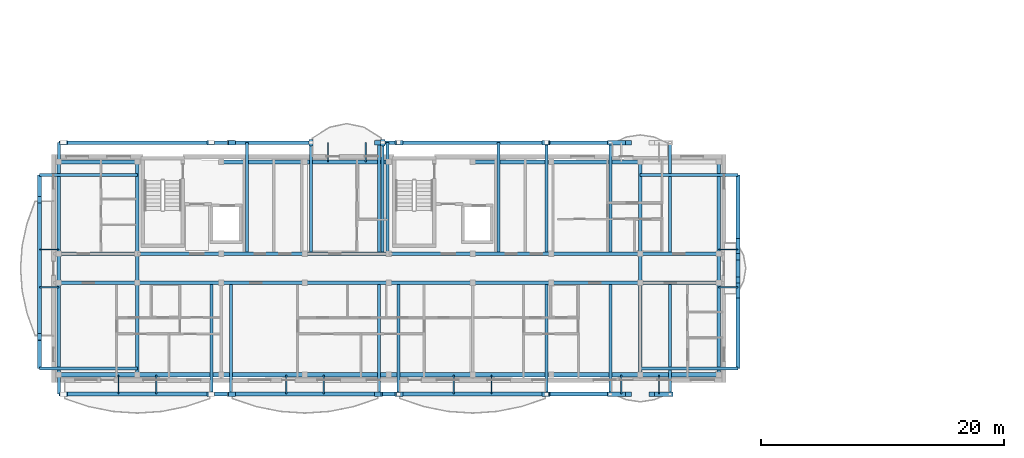
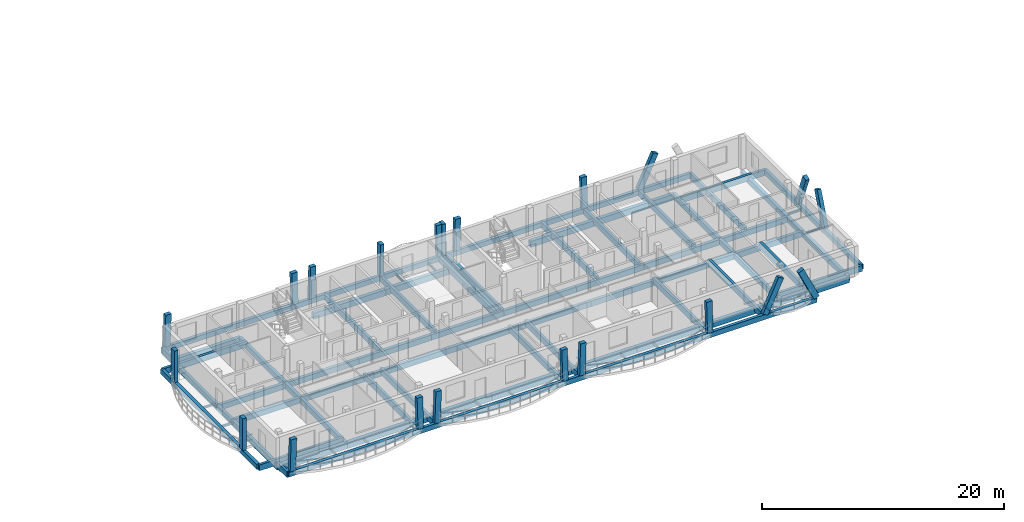
# One storey, part 3 of 41: 81 beams, 21 members.
"""IFC4 building model written with IfcOpenShell, lengths in metres."""

import ifcopenshell
import ifcopenshell.guid

model = None  # the IFC model being written
_history = None  # IfcOwnerHistory: only IFC2X3 demands one
_inside = {}  # id of a spatial element -> (the spatial element, [elements in it])
_under = {}  # id of a project, library or spatial element -> (it, [spatial elements below it])
_declared = {}  # id of a project -> (the project, [libraries it declares])
_typed = {}  # id of a type object -> (the type object, [elements of that type])
_made_of = {}  # id of a material, layer set ... -> (it, [elements and type objects made of it])


def new_model(schema):
    """Start an empty IFC model of exactly this schema.

    Asked for "IFC4X3", IfcOpenShell would pick the latest addendum, in which some entities
    have other attributes; the version numbers below select the first issue.
    IFC2X3 requires an IfcOwnerHistory on every rooted entity: one is made here for all.
    """
    global model, _history
    if schema == "IFC4X3":
        model = ifcopenshell.file(schema_version=(4, 3, 0, 0))
    else:
        model = ifcopenshell.file(schema=schema)
    _inside.clear()
    _under.clear()
    _declared.clear()
    _typed.clear()
    _made_of.clear()
    _history = None
    if model.schema == "IFC2X3":
        org = make("IfcOrganization", Name="unknown")
        user = make(
            "IfcPersonAndOrganization",
            ThePerson=make("IfcPerson", FamilyName="unknown"),
            TheOrganization=org,
        )
        app = make(
            "IfcApplication",
            ApplicationDeveloper=org,
            Version="unknown",
            ApplicationFullName="unknown",
            ApplicationIdentifier="unknown",
        )
        _history = make(
            "IfcOwnerHistory",
            OwningUser=user,
            OwningApplication=app,
            ChangeAction="ADDED",
            CreationDate=0,
        )
    return model


def make(cls, **values):
    """One entity of the class cls with the attributes given. An attribute that is None is left unset."""
    return model.create_entity(
        cls, **{name: value for name, value in values.items() if value is not None}
    )


def rooted(cls, **values):
    """An entity with a GlobalId (a new one), such as an element, a storey or a relation."""
    return make(cls, GlobalId=ifcopenshell.guid.new(), OwnerHistory=_history, **values)


def si_unit(unit_type, name, prefix=None):
    """IfcSIUnit, for example si_unit("LENGTHUNIT", "METRE", prefix="MILLI")."""
    return make("IfcSIUnit", UnitType=unit_type, Prefix=prefix, Name=name)


def assignment(units):
    """IfcUnitAssignment: the units of a project."""
    return None if units is None else make("IfcUnitAssignment", Units=units)


def point(xyz):
    """IfcCartesianPoint."""
    return None if xyz is None else make("IfcCartesianPoint", Coordinates=xyz)


def direction(xyz):
    """IfcDirection."""
    return None if xyz is None else make("IfcDirection", DirectionRatios=xyz)


def frame(location, z_axis=None, x_axis=None):
    """IfcAxis2Placement3D, a coordinate frame: its origin and axes. An axis left out is left unset."""
    return make(
        "IfcAxis2Placement3D",
        Location=point(location),
        Axis=direction(z_axis),
        RefDirection=direction(x_axis),
    )


def frame_2d(location, x_axis=None):
    """IfcAxis2Placement2D, a coordinate frame in the plane: its origin and x axis."""
    return make(
        "IfcAxis2Placement2D", Location=point(location), RefDirection=direction(x_axis)
    )


def origin():
    """The frame at (0, 0, 0) with its axes left unset."""
    return frame((0.0, 0.0, 0.0))


def origin_2d():
    """The frame at (0, 0) in the plane with its x axis left unset."""
    return frame_2d((0.0, 0.0))


def place(relative_to, where):
    """IfcLocalPlacement: puts the frame where relative to a parent placement (None: the world)."""
    return make(
        "IfcLocalPlacement", PlacementRelTo=relative_to, RelativePlacement=where
    )


def context(
    kind, dimensions, precision=None, world=None, true_north=None, identifier=None
):
    """IfcGeometricRepresentationContext, for example the 3D "Model" context."""
    return make(
        "IfcGeometricRepresentationContext",
        ContextIdentifier=identifier,
        ContextType=kind,
        CoordinateSpaceDimension=dimensions,
        Precision=precision,
        WorldCoordinateSystem=world,
        TrueNorth=true_north,
    )


def subcontext(parent, identifier, kind, view, scale=None):
    """IfcGeometricRepresentationSubContext, for example "Body" below "Model"."""
    return make(
        "IfcGeometricRepresentationSubContext",
        ContextIdentifier=identifier,
        ContextType=kind,
        ParentContext=parent,
        TargetScale=scale,
        TargetView=view,
    )


def project(units=None, contexts=None):
    """IfcProject with its units and contexts."""
    return rooted(
        "IfcProject",
        Name="project",
        RepresentationContexts=contexts,
        UnitsInContext=assignment(units),
    )


def spatial(cls, under=None, at=None, **own):
    """A site, building, storey or space (cls), placed at a placement, below another one or the project."""
    s = rooted(cls, ObjectPlacement=at, **own)
    if under is not None:
        _under.setdefault(under.id(), (under, []))[1].append(s)
    return s


def profile(cls, at=None, kind="AREA", **sizes):
    """A parametric profile (cls). Its sizes go by their IFC names, for example OverallWidth=200.0."""
    return make(cls, ProfileType=kind, Position=at, **sizes)


def rectangle(**sizes):
    """IfcRectangleProfileDef."""
    return profile("IfcRectangleProfileDef", **sizes)


def i_section(**sizes):
    """IfcIShapeProfileDef."""
    return profile("IfcIShapeProfileDef", **sizes)


def extrude(swept, where, along, depth):
    """IfcExtrudedAreaSolid: the profile swept, set in the frame where, extruded along a direction by depth."""
    return make(
        "IfcExtrudedAreaSolid",
        SweptArea=swept,
        Position=where,
        ExtrudedDirection=direction(along),
        Depth=depth,
    )


def shape(context_of_items, identifier, shape_type, items):
    """IfcShapeRepresentation: the items that make up one representation, for example the "Body"."""
    return make(
        "IfcShapeRepresentation",
        ContextOfItems=context_of_items,
        RepresentationIdentifier=identifier,
        RepresentationType=shape_type,
        Items=items,
    )


def material(Name=None, Category=None):
    """IfcMaterial."""
    return make("IfcMaterial", Name=Name, Category=Category)


def material_profile(
    of_material, cross_section, Name=None, Category=None, Priority=None
):
    """IfcMaterialProfile: a cross section and its material."""
    return make(
        "IfcMaterialProfile",
        Name=Name,
        Material=of_material,
        Profile=cross_section,
        Priority=Priority,
        Category=Category,
    )


def profile_set(profiles, Name=None, composite=None):
    """IfcMaterialProfileSet."""
    return make(
        "IfcMaterialProfileSet",
        Name=Name,
        MaterialProfiles=profiles,
        CompositeProfile=composite,
    )


def made_of(thing, what):
    """Note that an element or type object is made of a material, layer set ...; save() writes the relation."""
    if what is not None:
        _made_of.setdefault(what.id(), (what, []))[1].append(thing)
    return thing


def type_object(cls, material=None, **own):
    """A type object (cls), such as IfcWallType, which elements share."""
    return made_of(rooted(cls, **own), material)


def element(
    cls,
    number,
    at=None,
    inside=None,
    cuts=None,
    type_object=None,
    material=None,
    context=None,
    identifier="Body",
    shape_type=None,
    held_by="IfcProductDefinitionShape",
    body=None,
    shapes=None,
    **own,
):
    """One element of the class cls, such as IfcWall. Its Tag is "e" and its number.

    at: its placement. inside: the storey or other place that contains it. cuts: it is an
    opening in that element (IfcRelVoidsElement). A single representation is given by context,
    identifier, shape_type and body (its items); several are given by shapes. held_by: the class
    of the entity that holds the representations. save() writes the other relations.
    """
    e = rooted(cls, Tag="e%d" % number, ObjectPlacement=at, **own)
    if body is not None:
        shapes = [shape(context, identifier, shape_type, body)]
    if shapes is not None:
        e.Representation = make(held_by, Representations=shapes)
    if inside is not None:
        _inside.setdefault(inside.id(), (inside, []))[1].append(e)
    if cuts is not None:
        rooted(
            "IfcRelVoidsElement", RelatingBuildingElement=cuts, RelatedOpeningElement=e
        )
    if type_object is not None:
        _typed.setdefault(type_object.id(), (type_object, []))[1].append(e)
    return made_of(e, material)


def aggregate(whole, parts):
    """IfcRelAggregates: a whole, such as a stair, and the parts it consists of."""
    return rooted("IfcRelAggregates", RelatingObject=whole, RelatedObjects=parts)


def save(model, path):
    """Write the relations noted so far, then the file.

    IfcRelAggregates (storeys below a building ...), IfcRelContainedInSpatialStructure (elements
    in a storey), IfcRelDefinesByType, IfcRelAssociatesMaterial and IfcRelDeclares: one each for
    every whole, place, type object, material and project.
    """
    for whole, parts in _under.values():
        aggregate(whole, parts)
    for where, things in _inside.values():
        rooted(
            "IfcRelContainedInSpatialStructure",
            RelatedElements=things,
            RelatingStructure=where,
        )
    for kind, things in _typed.values():
        rooted("IfcRelDefinesByType", RelatedObjects=things, RelatingType=kind)
    for what, things in _made_of.values():
        rooted("IfcRelAssociatesMaterial", RelatedObjects=things, RelatingMaterial=what)
    for by, libraries in _declared.values():
        rooted("IfcRelDeclares", RelatingContext=by, RelatedDefinitions=libraries)
    model.write(path)


model = new_model("IFC4")

# Units and contexts
model_context = context("Model", 3, precision=1e-05, world=origin(), true_north=direction((0.0, 1.0)))
body_context = subcontext(model_context, "Body", "Model", "MODEL_VIEW")
ifc_project = project(units=[si_unit("LENGTHUNIT", "METRE"), si_unit("AREAUNIT", "SQUARE_METRE"), si_unit("VOLUMEUNIT", "CUBIC_METRE"), si_unit("PLANEANGLEUNIT", "RADIAN"), si_unit("MASSUNIT", "GRAM", prefix="KILO")], contexts=[model_context])

# Site, building, storey
site_placement = place(None, origin())
site = spatial("IfcSite", under=ifc_project, at=site_placement, CompositionType="ELEMENT")
building_placement = place(site_placement, origin())
building = spatial("IfcBuilding", under=site, at=building_placement, Name="Zavelmont Quarter", CompositionType="ELEMENT")
storey_placement = place(building_placement, frame((0.0, 0.0, 27.199951171875)))
storey = spatial("IfcBuildingStorey", under=building, at=storey_placement, Name="L08", CompositionType="ELEMENT", Elevation=27.199951171875)

# Beams
ifc_material_1 = material(Name="Concrete C35/45", Category="concrete")
ifc_material_profile_1 = material_profile(ifc_material_1, rectangle(XDim=0.35009765625, YDim=0.60009765625, at=origin_2d()), Name="RC350X600")
ifc_profile_set_1 = profile_set([ifc_material_profile_1], Name="Concrete C35/45")
beam_type_1 = type_object("IfcBeamType", Name="BM01", PredefinedType="SPANDREL", material=ifc_profile_set_1)
beam_1_placement = place(storey_placement, frame((0.43994140625, 0.43994140625, -0.550048828125), z_axis=(1.0, 0.0, 0.0), x_axis=(0.0, 1.0, 0.0)))
element("IfcBeam", 1, at=beam_1_placement, inside=storey, type_object=beam_type_1, Name="L08 beam BM01 1/A to 2/A", PredefinedType="SPANDREL", context=body_context, shape_type="SweptSolid", body=[
    extrude(rectangle(XDim=0.35009765625, YDim=0.60009765625, at=origin_2d()), origin(), (0.0, 0.0, 1.0), 6.4599609375),
])
beam_2_placement = place(storey_placement, frame((6.89990234375, 0.43994140625, -0.550048828125), z_axis=(1.0, 0.0, 0.0), x_axis=(0.0, 1.0, 0.0)))
element("IfcBeam", 2, at=beam_2_placement, inside=storey, type_object=beam_type_1, Name="L08 beam BM01 2/A to 3/A", PredefinedType="SPANDREL", context=body_context, shape_type="SweptSolid", body=[
    extrude(rectangle(XDim=0.35009765625, YDim=0.60009765625, at=origin_2d()), origin(), (0.0, 0.0, 1.0), 6.900146484375),
])
beam_3_placement = place(storey_placement, frame((13.800048828125, 0.43994140625, -0.550048828125), z_axis=(1.0, 0.0, 0.0), x_axis=(0.0, 1.0, 0.0)))
element("IfcBeam", 3, at=beam_3_placement, inside=storey, type_object=beam_type_1, Name="L08 beam BM01 3/A to 4/A", PredefinedType="SPANDREL", context=body_context, shape_type="SweptSolid", body=[
    extrude(rectangle(XDim=0.35009765625, YDim=0.60009765625, at=origin_2d()), origin(), (0.0, 0.0, 1.0), 6.89990234375),
])
beam_4_placement = place(storey_placement, frame((20.699951171875, 0.43994140625, -0.550048828125), z_axis=(1.0, 0.0, 0.0), x_axis=(0.0, 1.0, 0.0)))
element("IfcBeam", 4, at=beam_4_placement, inside=storey, type_object=beam_type_1, Name="L08 beam BM01 4/A to 5/A", PredefinedType="SPANDREL", context=body_context, shape_type="SweptSolid", body=[
    extrude(rectangle(XDim=0.35009765625, YDim=0.60009765625, at=origin_2d()), origin(), (0.0, 0.0, 1.0), 6.900146484375),
])
beam_5_placement = place(storey_placement, frame((27.60009765625, 0.43994140625, -0.550048828125), z_axis=(1.0, 0.0, 0.0), x_axis=(0.0, 1.0, 0.0)))
element("IfcBeam", 5, at=beam_5_placement, inside=storey, type_object=beam_type_1, Name="L08 beam BM01 5/A to 6/A", PredefinedType="SPANDREL", context=body_context, shape_type="SweptSolid", body=[
    extrude(rectangle(XDim=0.35009765625, YDim=0.60009765625, at=origin_2d()), origin(), (0.0, 0.0, 1.0), 6.89990234375),
])
beam_6_placement = place(storey_placement, frame((34.5, 0.43994140625, -0.550048828125), z_axis=(1.0, 0.0, 0.0), x_axis=(0.0, 1.0, 0.0)))
element("IfcBeam", 6, at=beam_6_placement, inside=storey, type_object=beam_type_1, Name="L08 beam BM01 6/A to 7/A", PredefinedType="SPANDREL", context=body_context, shape_type="SweptSolid", body=[
    extrude(rectangle(XDim=0.35009765625, YDim=0.60009765625, at=origin_2d()), origin(), (0.0, 0.0, 1.0), 6.4599609375),
])
beam_7_placement = place(storey_placement, frame((40.9599609375, 0.43994140625, -0.550048828125), z_axis=(1.0, 0.0, 0.0), x_axis=(0.0, 1.0, 0.0)))
element("IfcBeam", 7, at=beam_7_placement, inside=storey, type_object=beam_type_1, Name="L08 beam BM01 7/A to 8/A", PredefinedType="SPANDREL", context=body_context, shape_type="SweptSolid", body=[
    extrude(rectangle(XDim=0.35009765625, YDim=0.60009765625, at=origin_2d()), origin(), (0.0, 0.0, 1.0), 7.340087890625),
])
for number, where, z_axis, x_axis, name in (
    (8, (48.300048828125, 0.43994140625, -0.550048828125), (1.0, 0.0, 0.0), (0.0, 1.0, 0.0), "L08 beam BM01 8/A to 9/A"),
    (9, (0.43994140625, 17.9599609375, -0.550048828125), (1.0, 0.0, 0.0), (0.0, 1.0, 0.0), "L08 beam BM01 1/D to 2/D"),
):
    element("IfcBeam", number, at=place(storey_placement, frame(where, z_axis=z_axis, x_axis=x_axis)), inside=storey, type_object=beam_type_1, Name=name, PredefinedType="SPANDREL", context=body_context, shape_type="SweptSolid", body=[
        extrude(rectangle(XDim=0.35009765625, YDim=0.60009765625, at=origin_2d()), origin(), (0.0, 0.0, 1.0), 6.4599609375),
    ])
beam_8_placement = place(storey_placement, frame((13.800048828125, 17.9599609375, -0.550048828125), z_axis=(1.0, 0.0, 0.0), x_axis=(0.0, 1.0, 0.0)))
element("IfcBeam", 10, at=beam_8_placement, inside=storey, type_object=beam_type_1, Name="L08 beam BM01 3/D to 4/D", PredefinedType="SPANDREL", context=body_context, shape_type="SweptSolid", body=[
    extrude(rectangle(XDim=0.35009765625, YDim=0.60009765625, at=origin_2d()), origin(), (0.0, 0.0, 1.0), 6.89990234375),
])
beam_9_placement = place(storey_placement, frame((20.699951171875, 17.9599609375, -0.550048828125), z_axis=(1.0, 0.0, 0.0), x_axis=(0.0, 1.0, 0.0)))
element("IfcBeam", 11, at=beam_9_placement, inside=storey, type_object=beam_type_1, Name="L08 beam BM01 4/D to 5/D", PredefinedType="SPANDREL", context=body_context, shape_type="SweptSolid", body=[
    extrude(rectangle(XDim=0.35009765625, YDim=0.60009765625, at=origin_2d()), origin(), (0.0, 0.0, 1.0), 6.900146484375),
])
beam_10_placement = place(storey_placement, frame((34.5, 17.9599609375, -0.550048828125), z_axis=(1.0, 0.0, 0.0), x_axis=(0.0, 1.0, 0.0)))
element("IfcBeam", 12, at=beam_10_placement, inside=storey, type_object=beam_type_1, Name="L08 beam BM01 6/D to 7/D", PredefinedType="SPANDREL", context=body_context, shape_type="SweptSolid", body=[
    extrude(rectangle(XDim=0.35009765625, YDim=0.60009765625, at=origin_2d()), origin(), (0.0, 0.0, 1.0), 6.4599609375),
])
beam_11_placement = place(storey_placement, frame((40.9599609375, 17.9599609375, -0.550048828125), z_axis=(1.0, 0.0, 0.0), x_axis=(0.0, 1.0, 0.0)))
element("IfcBeam", 13, at=beam_11_placement, inside=storey, type_object=beam_type_1, Name="L08 beam BM01 7/D to 8/D", PredefinedType="SPANDREL", context=body_context, shape_type="SweptSolid", body=[
    extrude(rectangle(XDim=0.35009765625, YDim=0.60009765625, at=origin_2d()), origin(), (0.0, 0.0, 1.0), 7.340087890625),
])
ifc_material_profile_2 = material_profile(ifc_material_1, rectangle(XDim=0.300048828125, YDim=0.550048828125, at=origin_2d()), Name="RC300X550")
ifc_profile_set_2 = profile_set([ifc_material_profile_2], Name="Concrete C35/45")
beam_type_2 = type_object("IfcBeamType", Name="BM02", PredefinedType="SPANDREL", material=ifc_profile_set_2)
beam_12_placement = place(storey_placement, frame((0.43994140625, 8.0, -0.52490234375), z_axis=(1.0, 0.0, 0.0), x_axis=(0.0, 1.0, 0.0)))
element("IfcBeam", 14, at=beam_12_placement, inside=storey, type_object=beam_type_2, Name="L08 beam BM02 1/B to 2/B", PredefinedType="SPANDREL", context=body_context, shape_type="SweptSolid", body=[
    extrude(rectangle(XDim=0.300048828125, YDim=0.550048828125, at=origin_2d()), origin(), (0.0, 0.0, 1.0), 6.4599609375),
])
beam_13_placement = place(storey_placement, frame((6.89990234375, 8.0, -0.52490234375), z_axis=(1.0, 0.0, 0.0), x_axis=(0.0, 1.0, 0.0)))
element("IfcBeam", 15, at=beam_13_placement, inside=storey, type_object=beam_type_2, Name="L08 beam BM02 2/B to 3/B", PredefinedType="SPANDREL", context=body_context, shape_type="SweptSolid", body=[
    extrude(rectangle(XDim=0.300048828125, YDim=0.550048828125, at=origin_2d()), origin(), (0.0, 0.0, 1.0), 6.900146484375),
])
beam_14_placement = place(storey_placement, frame((13.800048828125, 8.0, -0.52490234375), z_axis=(1.0, 0.0, 0.0), x_axis=(0.0, 1.0, 0.0)))
element("IfcBeam", 16, at=beam_14_placement, inside=storey, type_object=beam_type_2, Name="L08 beam BM02 3/B to 4/B", PredefinedType="SPANDREL", context=body_context, shape_type="SweptSolid", body=[
    extrude(rectangle(XDim=0.300048828125, YDim=0.550048828125, at=origin_2d()), origin(), (0.0, 0.0, 1.0), 6.89990234375),
])
beam_15_placement = place(storey_placement, frame((20.699951171875, 8.0, -0.52490234375), z_axis=(1.0, 0.0, 0.0), x_axis=(0.0, 1.0, 0.0)))
element("IfcBeam", 17, at=beam_15_placement, inside=storey, type_object=beam_type_2, Name="L08 beam BM02 4/B to 5/B", PredefinedType="SPANDREL", context=body_context, shape_type="SweptSolid", body=[
    extrude(rectangle(XDim=0.300048828125, YDim=0.550048828125, at=origin_2d()), origin(), (0.0, 0.0, 1.0), 6.900146484375),
])
beam_16_placement = place(storey_placement, frame((27.60009765625, 8.0, -0.52490234375), z_axis=(1.0, 0.0, 0.0), x_axis=(0.0, 1.0, 0.0)))
element("IfcBeam", 18, at=beam_16_placement, inside=storey, type_object=beam_type_2, Name="L08 beam BM02 5/B to 6/B", PredefinedType="SPANDREL", context=body_context, shape_type="SweptSolid", body=[
    extrude(rectangle(XDim=0.300048828125, YDim=0.550048828125, at=origin_2d()), origin(), (0.0, 0.0, 1.0), 6.89990234375),
])
beam_17_placement = place(storey_placement, frame((34.5, 8.0, -0.52490234375), z_axis=(1.0, 0.0, 0.0), x_axis=(0.0, 1.0, 0.0)))
element("IfcBeam", 19, at=beam_17_placement, inside=storey, type_object=beam_type_2, Name="L08 beam BM02 6/B to 7/B", PredefinedType="SPANDREL", context=body_context, shape_type="SweptSolid", body=[
    extrude(rectangle(XDim=0.300048828125, YDim=0.550048828125, at=origin_2d()), origin(), (0.0, 0.0, 1.0), 6.4599609375),
])
beam_18_placement = place(storey_placement, frame((40.9599609375, 8.0, -0.52490234375), z_axis=(1.0, 0.0, 0.0), x_axis=(0.0, 1.0, 0.0)))
element("IfcBeam", 20, at=beam_18_placement, inside=storey, type_object=beam_type_2, Name="L08 beam BM02 7/B to 8/B", PredefinedType="SPANDREL", context=body_context, shape_type="SweptSolid", body=[
    extrude(rectangle(XDim=0.300048828125, YDim=0.550048828125, at=origin_2d()), origin(), (0.0, 0.0, 1.0), 7.340087890625),
])
for number, where, z_axis, x_axis, name in (
    (21, (48.300048828125, 8.0, -0.52490234375), (1.0, 0.0, 0.0), (0.0, 1.0, 0.0), "L08 beam BM02 8/B to 9/B"),
    (22, (0.43994140625, 10.39990234375, -0.52490234375), (1.0, 0.0, 0.0), (0.0, 1.0, 0.0), "L08 beam BM02 1/C to 2/C"),
):
    element("IfcBeam", number, at=place(storey_placement, frame(where, z_axis=z_axis, x_axis=x_axis)), inside=storey, type_object=beam_type_2, Name=name, PredefinedType="SPANDREL", context=body_context, shape_type="SweptSolid", body=[
        extrude(rectangle(XDim=0.300048828125, YDim=0.550048828125, at=origin_2d()), origin(), (0.0, 0.0, 1.0), 6.4599609375),
    ])
beam_19_placement = place(storey_placement, frame((6.89990234375, 10.39990234375, -0.52490234375), z_axis=(1.0, 0.0, 0.0), x_axis=(0.0, 1.0, 0.0)))
element("IfcBeam", 23, at=beam_19_placement, inside=storey, type_object=beam_type_2, Name="L08 beam BM02 2/C to 3/C", PredefinedType="SPANDREL", context=body_context, shape_type="SweptSolid", body=[
    extrude(rectangle(XDim=0.300048828125, YDim=0.550048828125, at=origin_2d()), origin(), (0.0, 0.0, 1.0), 6.900146484375),
])
beam_20_placement = place(storey_placement, frame((13.800048828125, 10.39990234375, -0.52490234375), z_axis=(1.0, 0.0, 0.0), x_axis=(0.0, 1.0, 0.0)))
element("IfcBeam", 24, at=beam_20_placement, inside=storey, type_object=beam_type_2, Name="L08 beam BM02 3/C to 4/C", PredefinedType="SPANDREL", context=body_context, shape_type="SweptSolid", body=[
    extrude(rectangle(XDim=0.300048828125, YDim=0.550048828125, at=origin_2d()), origin(), (0.0, 0.0, 1.0), 6.89990234375),
])
beam_21_placement = place(storey_placement, frame((20.699951171875, 10.39990234375, -0.52490234375), z_axis=(1.0, 0.0, 0.0), x_axis=(0.0, 1.0, 0.0)))
element("IfcBeam", 25, at=beam_21_placement, inside=storey, type_object=beam_type_2, Name="L08 beam BM02 4/C to 5/C", PredefinedType="SPANDREL", context=body_context, shape_type="SweptSolid", body=[
    extrude(rectangle(XDim=0.300048828125, YDim=0.550048828125, at=origin_2d()), origin(), (0.0, 0.0, 1.0), 6.900146484375),
])
beam_22_placement = place(storey_placement, frame((27.60009765625, 10.39990234375, -0.52490234375), z_axis=(1.0, 0.0, 0.0), x_axis=(0.0, 1.0, 0.0)))
element("IfcBeam", 26, at=beam_22_placement, inside=storey, type_object=beam_type_2, Name="L08 beam BM02 5/C to 6/C", PredefinedType="SPANDREL", context=body_context, shape_type="SweptSolid", body=[
    extrude(rectangle(XDim=0.300048828125, YDim=0.550048828125, at=origin_2d()), origin(), (0.0, 0.0, 1.0), 6.89990234375),
])
beam_23_placement = place(storey_placement, frame((34.5, 10.39990234375, -0.52490234375), z_axis=(1.0, 0.0, 0.0), x_axis=(0.0, 1.0, 0.0)))
element("IfcBeam", 27, at=beam_23_placement, inside=storey, type_object=beam_type_2, Name="L08 beam BM02 6/C to 7/C", PredefinedType="SPANDREL", context=body_context, shape_type="SweptSolid", body=[
    extrude(rectangle(XDim=0.300048828125, YDim=0.550048828125, at=origin_2d()), origin(), (0.0, 0.0, 1.0), 6.4599609375),
])
beam_24_placement = place(storey_placement, frame((40.9599609375, 10.39990234375, -0.52490234375), z_axis=(1.0, 0.0, 0.0), x_axis=(0.0, 1.0, 0.0)))
element("IfcBeam", 28, at=beam_24_placement, inside=storey, type_object=beam_type_2, Name="L08 beam BM02 7/C to 8/C", PredefinedType="SPANDREL", context=body_context, shape_type="SweptSolid", body=[
    extrude(rectangle(XDim=0.300048828125, YDim=0.550048828125, at=origin_2d()), origin(), (0.0, 0.0, 1.0), 7.340087890625),
])
beam_25_placement = place(storey_placement, frame((48.300048828125, 10.39990234375, -0.52490234375), z_axis=(1.0, 0.0, 0.0), x_axis=(0.0, 1.0, 0.0)))
element("IfcBeam", 29, at=beam_25_placement, inside=storey, type_object=beam_type_2, Name="L08 beam BM02 8/C to 9/C", PredefinedType="SPANDREL", context=body_context, shape_type="SweptSolid", body=[
    extrude(rectangle(XDim=0.300048828125, YDim=0.550048828125, at=origin_2d()), origin(), (0.0, 0.0, 1.0), 6.4599609375),
])
beam_26_placement = place(storey_placement, frame((0.43994140625, 0.43994140625, -0.52490234375), z_axis=(0.0, 1.0, 0.0), x_axis=(-1.0, 0.0, 0.0)))
element("IfcBeam", 30, at=beam_26_placement, inside=storey, type_object=beam_type_2, Name="L08 beam BM02 1/A to 1/B", PredefinedType="SPANDREL", context=body_context, shape_type="SweptSolid", body=[
    extrude(rectangle(XDim=0.300048828125, YDim=0.550048828125, at=origin_2d()), origin(), (0.0, 0.0, 1.0), 7.56005859375),
])
beam_27_placement = place(storey_placement, frame((0.43994140625, 8.0, -0.52490234375), z_axis=(0.0, 1.0, 0.0), x_axis=(-1.0, 0.0, 0.0)))
element("IfcBeam", 31, at=beam_27_placement, inside=storey, type_object=beam_type_2, Name="L08 beam BM02 1/B to 1/C", PredefinedType="SPANDREL", context=body_context, shape_type="SweptSolid", body=[
    extrude(rectangle(XDim=0.300048828125, YDim=0.550048828125, at=origin_2d()), origin(), (0.0, 0.0, 1.0), 2.39990234375),
])
for number, where, z_axis, x_axis, name in (
    (32, (0.43994140625, 10.39990234375, -0.52490234375), (0.0, 1.0, 0.0), (-1.0, 0.0, 0.0), "L08 beam BM02 1/C to 1/D"),
    (33, (6.89990234375, 0.43994140625, -0.52490234375), (0.0, 1.0, 0.0), (-1.0, 0.0, 0.0), "L08 beam BM02 2/A to 2/B"),
):
    element("IfcBeam", number, at=place(storey_placement, frame(where, z_axis=z_axis, x_axis=x_axis)), inside=storey, type_object=beam_type_2, Name=name, PredefinedType="SPANDREL", context=body_context, shape_type="SweptSolid", body=[
        extrude(rectangle(XDim=0.300048828125, YDim=0.550048828125, at=origin_2d()), origin(), (0.0, 0.0, 1.0), 7.56005859375),
    ])
beam_28_placement = place(storey_placement, frame((6.89990234375, 8.0, -0.52490234375), z_axis=(0.0, 1.0, 0.0), x_axis=(-1.0, 0.0, 0.0)))
element("IfcBeam", 34, at=beam_28_placement, inside=storey, type_object=beam_type_2, Name="L08 beam BM02 2/B to 2/C", PredefinedType="SPANDREL", context=body_context, shape_type="SweptSolid", body=[
    extrude(rectangle(XDim=0.300048828125, YDim=0.550048828125, at=origin_2d()), origin(), (0.0, 0.0, 1.0), 2.39990234375),
])
for number, where, z_axis, x_axis, name in (
    (35, (6.89990234375, 10.39990234375, -0.52490234375), (0.0, 1.0, 0.0), (-1.0, 0.0, 0.0), "L08 beam BM02 2/C to 2/D"),
    (36, (48.300048828125, 0.43994140625, -0.52490234375), (0.0, 1.0, 0.0), (-1.0, 0.0, 0.0), "L08 beam BM02 8/A to 8/B"),
):
    element("IfcBeam", number, at=place(storey_placement, frame(where, z_axis=z_axis, x_axis=x_axis)), inside=storey, type_object=beam_type_2, Name=name, PredefinedType="SPANDREL", context=body_context, shape_type="SweptSolid", body=[
        extrude(rectangle(XDim=0.300048828125, YDim=0.550048828125, at=origin_2d()), origin(), (0.0, 0.0, 1.0), 7.56005859375),
    ])
beam_29_placement = place(storey_placement, frame((48.300048828125, 8.0, -0.52490234375), z_axis=(0.0, 1.0, 0.0), x_axis=(-1.0, 0.0, 0.0)))
element("IfcBeam", 37, at=beam_29_placement, inside=storey, type_object=beam_type_2, Name="L08 beam BM02 8/B to 8/C", PredefinedType="SPANDREL", context=body_context, shape_type="SweptSolid", body=[
    extrude(rectangle(XDim=0.300048828125, YDim=0.550048828125, at=origin_2d()), origin(), (0.0, 0.0, 1.0), 2.39990234375),
])
for number, where, z_axis, x_axis, name in (
    (38, (48.300048828125, 10.39990234375, -0.52490234375), (0.0, 1.0, 0.0), (-1.0, 0.0, 0.0), "L08 beam BM02 8/C to 8/D"),
    (39, (54.760009765625, 0.43994140625, -0.52490234375), (0.0, 1.0, 0.0), (-1.0, 0.0, 0.0), "L08 beam BM02 9/A to 9/B"),
):
    element("IfcBeam", number, at=place(storey_placement, frame(where, z_axis=z_axis, x_axis=x_axis)), inside=storey, type_object=beam_type_2, Name=name, PredefinedType="SPANDREL", context=body_context, shape_type="SweptSolid", body=[
        extrude(rectangle(XDim=0.300048828125, YDim=0.550048828125, at=origin_2d()), origin(), (0.0, 0.0, 1.0), 7.56005859375),
    ])
beam_30_placement = place(storey_placement, frame((54.760009765625, 8.0, -0.52490234375), z_axis=(0.0, 1.0, 0.0), x_axis=(-1.0, 0.0, 0.0)))
element("IfcBeam", 40, at=beam_30_placement, inside=storey, type_object=beam_type_2, Name="L08 beam BM02 9/B to 9/C", PredefinedType="SPANDREL", context=body_context, shape_type="SweptSolid", body=[
    extrude(rectangle(XDim=0.300048828125, YDim=0.550048828125, at=origin_2d()), origin(), (0.0, 0.0, 1.0), 2.39990234375),
])
beam_31_placement = place(storey_placement, frame((54.760009765625, 10.39990234375, -0.52490234375), z_axis=(0.0, 1.0, 0.0), x_axis=(-1.0, 0.0, 0.0)))
element("IfcBeam", 41, at=beam_31_placement, inside=storey, type_object=beam_type_2, Name="L08 beam BM02 9/C to 9/D", PredefinedType="SPANDREL", context=body_context, shape_type="SweptSolid", body=[
    extrude(rectangle(XDim=0.300048828125, YDim=0.550048828125, at=origin_2d()), origin(), (0.0, 0.0, 1.0), 7.56005859375),
])
ifc_material_profile_3 = material_profile(ifc_material_1, rectangle(XDim=0.300048828125, YDim=0.5, at=origin_2d()), Name="RC300X500")
ifc_profile_set_3 = profile_set([ifc_material_profile_3], Name="Concrete C35/45")
beam_type_3 = type_object("IfcBeamType", Name="BM03", PredefinedType="BEAM", material=ifc_profile_set_3)
for number, where, z_axis, x_axis, name in (
    (42, (0.43994140625, -1.14990234375, -0.25), (1.0, 0.0, 0.0), (0.0, 1.0, 0.0), "L08 beam BM03 1/A to 8/A"),
    (43, (0.43994140625, 19.550048828125, -0.25), (1.0, 0.0, 0.0), (0.0, 1.0, 0.0), "L08 beam BM03 1/D to 8/D"),
):
    element("IfcBeam", number, at=place(storey_placement, frame(where, z_axis=z_axis, x_axis=x_axis)), inside=storey, type_object=beam_type_3, Name=name, PredefinedType="BEAM", context=body_context, shape_type="SweptSolid", body=[
        extrude(rectangle(XDim=0.300048828125, YDim=0.5, at=origin_2d()), origin(), (0.0, 0.0, 1.0), 50.31298828125),
    ])
for number, where, z_axis, x_axis, name in (
    (44, (-1.14990234375, 0.949951171875, -0.25), (0.0, 1.0, 0.0), (-1.0, 0.0, 0.0), "L08 beam BM03 1/A to 1/D"),
    (45, (56.35009765625, 0.949951171875, -0.25), (0.0, 1.0, 0.0), (-1.0, 0.0, 0.0), "L08 beam BM03 9/A to 9/D"),
):
    element("IfcBeam", number, at=place(storey_placement, frame(where, z_axis=z_axis, x_axis=x_axis)), inside=storey, type_object=beam_type_3, Name=name, PredefinedType="BEAM", context=body_context, shape_type="SweptSolid", body=[
        extrude(rectangle(XDim=0.300048828125, YDim=0.5, at=origin_2d()), origin(), (0.0, 0.0, 1.0), 15.949951171875),
    ])
ifc_material_2 = material(Name="Steel S355", Category="steel")
ifc_material_profile_4 = material_profile(ifc_material_2, i_section(OverallWidth=0.110107421875, OverallDepth=0.219970703125, WebThickness=0.005859375, FlangeThickness=0.00927734375, at=origin_2d()), Name="IPE 220")
ifc_profile_set_4 = profile_set([ifc_material_profile_4], Name="Steel S355")
beam_type_4 = type_object("IfcBeamType", Name="BM15", PredefinedType="JOIST", material=ifc_profile_set_4)
for number, where, z_axis, x_axis, name in (
    (46, (5.35009765625, 0.43994140625, -0.366943359375), (0.0, -1.0, 0.0), (1.0, 0.0, 0.0), "L08 beam BM15 2/A to 2/A"),
    (47, (8.449951171875, 0.43994140625, -0.366943359375), (0.0, -1.0, 0.0), (1.0, 0.0, 0.0), "L08 beam BM15 2/A to 2/A"),
    (48, (19.14990234375, 0.43994140625, -0.362060546875), (0.0, -1.0, 0.0), (1.0, 0.0, 0.0), "L08 beam BM15 4/A to 4/A"),
    (49, (22.25, 0.43994140625, -0.362060546875), (0.0, -1.0, 0.0), (1.0, 0.0, 0.0), "L08 beam BM15 4/A to 4/A"),
    (50, (32.949951171875, 0.43994140625, -0.362060546875), (0.0, -1.0, 0.0), (1.0, 0.0, 0.0), "L08 beam BM15 6/A to 6/A"),
    (51, (36.050048828125, 0.43994140625, -0.362060546875), (0.0, -1.0, 0.0), (1.0, 0.0, 0.0), "L08 beam BM15 6/A to 6/A"),
    (52, (46.75, 0.43994140625, -0.366943359375), (0.0, -1.0, 0.0), (1.0, 0.0, 0.0), "L08 beam BM15 8/A to 8/A"),
    (53, (49.85009765625, 0.43994140625, -0.366943359375), (0.0, -1.0, 0.0), (1.0, 0.0, 0.0), "L08 beam BM15 8/A to 8/A"),
    (54, (0.43994140625, 7.64990234375, -0.362060546875), (-1.0, 0.0, 0.0), (0.0, -1.0, 0.0), "L08 beam BM15 1/B to 1/B"),
    (55, (0.43994140625, 10.75, -0.362060546875), (-1.0, 0.0, 0.0), (0.0, -1.0, 0.0), "L08 beam BM15 1/C to 1/C"),
):
    element("IfcBeam", number, at=place(storey_placement, frame(where, z_axis=z_axis, x_axis=x_axis)), inside=storey, type_object=beam_type_4, Name=name, PredefinedType="JOIST", context=body_context, shape_type="SweptSolid", body=[
        extrude(i_section(OverallWidth=0.110107421875, OverallDepth=0.219970703125, WebThickness=0.005859375, FlangeThickness=0.00927734375, at=origin_2d()), origin(), (0.0, 0.0, 1.0), 1.58984375),
    ])
for number, where, z_axis, x_axis, name in (
    (56, (54.760009765625, 7.64990234375, -0.362060546875), (1.0, 0.0, 0.0), (0.0, 1.0, 0.0), "L08 beam BM15 9/B to 9/B"),
    (57, (54.760009765625, 10.75, -0.362060546875), (1.0, 0.0, 0.0), (0.0, 1.0, 0.0), "L08 beam BM15 9/C to 9/C"),
    (58, (22.60009765625, 17.9599609375, -0.366943359375), (0.0, 1.0, 0.0), (-1.0, 0.0, 0.0), "L08 beam BM15 4/D to 4/D"),
    (59, (25.699951171875, 17.9599609375, -0.366943359375), (0.0, 1.0, 0.0), (-1.0, 0.0, 0.0), "L08 beam BM15 5/D to 5/D"),
):
    element("IfcBeam", number, at=place(storey_placement, frame(where, z_axis=z_axis, x_axis=x_axis)), inside=storey, type_object=beam_type_4, Name=name, PredefinedType="JOIST", context=body_context, shape_type="SweptSolid", body=[
        extrude(i_section(OverallWidth=0.110107421875, OverallDepth=0.219970703125, WebThickness=0.005859375, FlangeThickness=0.00927734375, at=origin_2d()), origin(), (0.0, 0.0, 1.0), 1.590087890625),
    ])
ifc_material_3 = material(Name="Concrete C40/50", Category="concrete")
ifc_material_profile_5 = material_profile(ifc_material_3, rectangle(XDim=0.25, YDim=0.60009765625, at=origin_2d()), Name="RC250X600")
ifc_profile_set_5 = profile_set([ifc_material_profile_5], Name="Concrete C40/50")
beam_type_5 = type_object("IfcBeamType", Name="BM18", PredefinedType="BEAM", material=ifc_profile_set_5)
beam_32_placement = place(storey_placement, frame((0.43994140625, 0.43994140625, -0.300048828125), z_axis=(0.0, -1.0, 0.0), x_axis=(1.0, 0.0, 0.0)))
element("IfcBeam", 60, at=beam_32_placement, inside=storey, type_object=beam_type_5, Name="L08 beam BM18 1/A to 1/A", PredefinedType="BEAM", context=body_context, shape_type="SweptSolid", body=[
    extrude(rectangle(XDim=0.25, YDim=0.60009765625, at=origin_2d()), origin(), (0.0, 0.0, 1.0), 1.58984375),
])
for number, where, z_axis, x_axis, name in (
    (61, (13.0, 8.0, -0.300048828125), (0.0, -1.0, 0.0), (1.0, 0.0, 0.0), "L08 beam BM18 3/B to 3/A"),
    (62, (14.60009765625, 8.0, -0.300048828125), (0.0, -1.0, 0.0), (1.0, 0.0, 0.0), "L08 beam BM18 3/B to 3/A"),
    (63, (26.800048828125, 8.0, -0.300048828125), (0.0, -1.0, 0.0), (1.0, 0.0, 0.0), "L08 beam BM18 5/B to 5/A"),
    (64, (28.39990234375, 8.0, -0.300048828125), (0.0, -1.0, 0.0), (1.0, 0.0, 0.0), "L08 beam BM18 5/B to 5/A"),
    (65, (40.60009765625, 8.0, -0.300048828125), (0.0, -1.0, 0.0), (1.0, 0.0, 0.0), "L08 beam BM18 7/B to 7/A"),
    (66, (45.847412109375, 8.0, -0.300048828125), (0.0, -1.0, 0.0), (1.0, 0.0, 0.0), "L08 beam BM18 8/B to 8/A"),
    (67, (50.752685546875, 8.0, -0.300048828125), (0.0, -1.0, 0.0), (1.0, 0.0, 0.0), "L08 beam BM18 8/B to 8/A"),
):
    element("IfcBeam", number, at=place(storey_placement, frame(where, z_axis=z_axis, x_axis=x_axis)), inside=storey, type_object=beam_type_5, Name=name, PredefinedType="BEAM", context=body_context, shape_type="SweptSolid", body=[
        extrude(rectangle(XDim=0.25, YDim=0.60009765625, at=origin_2d()), origin(), (0.0, 0.0, 1.0), 9.14990234375),
    ])
beam_33_placement = place(storey_placement, frame((0.43994140625, 17.9599609375, -0.300048828125), z_axis=(0.0, 1.0, 0.0), x_axis=(-1.0, 0.0, 0.0)))
element("IfcBeam", 68, at=beam_33_placement, inside=storey, type_object=beam_type_5, Name="L08 beam BM18 1/D to 1/D", PredefinedType="BEAM", context=body_context, shape_type="SweptSolid", body=[
    extrude(rectangle(XDim=0.25, YDim=0.60009765625, at=origin_2d()), origin(), (0.0, 0.0, 1.0), 1.590087890625),
])
for number, where, z_axis, x_axis, name in (
    (69, (15.925048828125, 10.39990234375, -0.300048828125), (0.0, 1.0, 0.0), (-1.0, 0.0, 0.0), "L08 beam BM18 3/C to 3/D"),
    (70, (26.800048828125, 10.39990234375, -0.300048828125), (0.0, 1.0, 0.0), (-1.0, 0.0, 0.0), "L08 beam BM18 5/C to 5/D"),
    (71, (27.5, 10.39990234375, -0.300048828125), (0.0, 1.0, 0.0), (-1.0, 0.0, 0.0), "L08 beam BM18 5/C to 5/D"),
    (72, (36.625, 10.39990234375, -0.300048828125), (0.0, 1.0, 0.0), (-1.0, 0.0, 0.0), "L08 beam BM18 6/C to 6/D"),
    (73, (40.60009765625, 10.39990234375, -0.300048828125), (0.0, 1.0, 0.0), (-1.0, 0.0, 0.0), "L08 beam BM18 7/C to 7/D"),
    (74, (45.847412109375, 10.39990234375, -0.300048828125), (0.0, 1.0, 0.0), (-1.0, 0.0, 0.0), "L08 beam BM18 8/C to 8/D"),
    (75, (50.752685546875, 10.39990234375, -0.300048828125), (0.0, 1.0, 0.0), (-1.0, 0.0, 0.0), "L08 beam BM18 8/C to 8/D"),
    (76, (21.199951171875, 10.39990234375, -0.300048828125), (0.0, 1.0, 0.0), (-1.0, 0.0, 0.0), "L08 beam BM18 4/C to 4/D"),
    (77, (27.10009765625, 10.39990234375, -0.300048828125), (0.0, 1.0, 0.0), (-1.0, 0.0, 0.0), "L08 beam BM18 5/C to 5/D"),
):
    element("IfcBeam", number, at=place(storey_placement, frame(where, z_axis=z_axis, x_axis=x_axis)), inside=storey, type_object=beam_type_5, Name=name, PredefinedType="BEAM", context=body_context, shape_type="SweptSolid", body=[
        extrude(rectangle(XDim=0.25, YDim=0.60009765625, at=origin_2d()), origin(), (0.0, 0.0, 1.0), 9.150146484375),
    ])
for number, where, z_axis, x_axis, name in (
    (78, (6.89990234375, 0.949951171875, -0.300048828125), (-1.0, 0.0, 0.0), (0.0, -1.0, 0.0), "L08 beam BM18 2/A to 1/A"),
    (79, (6.89990234375, 16.89990234375, -0.300048828125), (-1.0, 0.0, 0.0), (0.0, -1.0, 0.0), "L08 beam BM18 2/D to 1/D"),
):
    element("IfcBeam", number, at=place(storey_placement, frame(where, z_axis=z_axis, x_axis=x_axis)), inside=storey, type_object=beam_type_5, Name=name, PredefinedType="BEAM", context=body_context, shape_type="SweptSolid", body=[
        extrude(rectangle(XDim=0.25, YDim=0.60009765625, at=origin_2d()), origin(), (0.0, 0.0, 1.0), 8.0498046875),
    ])
for number, where, z_axis, x_axis, name in (
    (80, (48.300048828125, 0.949951171875, -0.300048828125), (1.0, 0.0, 0.0), (0.0, 1.0, 0.0), "L08 beam BM18 8/A to 9/A"),
    (81, (48.300048828125, 16.89990234375, -0.300048828125), (1.0, 0.0, 0.0), (0.0, 1.0, 0.0), "L08 beam BM18 8/D to 9/D"),
):
    element("IfcBeam", number, at=place(storey_placement, frame(where, z_axis=z_axis, x_axis=x_axis)), inside=storey, type_object=beam_type_5, Name=name, PredefinedType="BEAM", context=body_context, shape_type="SweptSolid", body=[
        extrude(rectangle(XDim=0.25, YDim=0.60009765625, at=origin_2d()), origin(), (0.0, 0.0, 1.0), 8.050048828125),
    ])

# Members
ifc_material_4 = material(Name="White architectural precast concrete C40/50", Category="concrete")
ifc_material_profile_6 = material_profile(ifc_material_4, rectangle(XDim=0.360107421875, YDim=0.5400390625, at=origin_2d()), Name="PCR280X420")
ifc_profile_set_6 = profile_set([ifc_material_profile_6], Name="White architectural precast concrete C40/50")
member_type = type_object("IfcMemberType", Name="VR02M", PredefinedType="CHORD", material=ifc_profile_set_6)
for number, where, z_axis, x_axis, name in (
    (82, (0.800048828125, -1.14990234375, 0.0), (0.030122892353, 0.0, 0.999546202712), (0.0, 1.0, 0.0), "L08 member VR02M 1/A to 1/A"),
    (83, (13.0, -1.14990234375, 0.0), (-0.030199083379, 0.0, 0.99954390367), (0.0, -1.0, 0.0), "L08 member VR02M 3/A to 3/A"),
    (84, (14.60009765625, -1.14990234375, 0.0), (0.030122892353, 0.0, 0.999546202712), (0.0, 1.0, 0.0), "L08 member VR02M 3/A to 3/A"),
    (85, (26.800048828125, -1.14990234375, 0.0), (-0.030199083379, 0.0, 0.99954390367), (0.0, -1.0, 0.0), "L08 member VR02M 5/A to 5/A"),
    (86, (28.39990234375, -1.14990234375, 0.0), (0.030199083379, 0.0, 0.99954390367), (0.0, 1.0, 0.0), "L08 member VR02M 5/A to 5/A"),
    (87, (40.60009765625, -1.14990234375, 0.0), (-0.030199083379, 0.0, 0.99954390367), (0.0, -1.0, 0.0), "L08 member VR02M 7/A to 7/A"),
):
    element("IfcMember", number, at=place(storey_placement, frame(where, z_axis=z_axis, x_axis=x_axis)), inside=storey, type_object=member_type, Name=name, PredefinedType="CHORD", context=body_context, shape_type="SweptSolid", body=[
        extrude(rectangle(XDim=0.360107421875, YDim=0.5400390625, at=origin_2d()), origin(), (0.0, 0.0, 1.0), 3.201416015625),
    ])
for number, where, z_axis, x_axis, name in (
    (88, (45.847412109375, -1.14990234375, 0.0), (0.425061890323, 0.0, 0.905164288621), (0.0, 1.0, 0.0), "L08 member VR02M 8/A to 8/A"),
    (89, (50.752685546875, -1.14990234375, 0.0), (-0.425061890323, 0.0, 0.905164288621), (0.0, -1.0, 0.0), "L08 member VR02M 8/A to 8/A"),
):
    element("IfcMember", number, at=place(storey_placement, frame(where, z_axis=z_axis, x_axis=x_axis)), inside=storey, type_object=member_type, Name=name, PredefinedType="CHORD", context=body_context, shape_type="SweptSolid", body=[
        extrude(rectangle(XDim=0.360107421875, YDim=0.5400390625, at=origin_2d()), origin(), (0.0, 0.0, 1.0), 3.53515625),
    ])
for number, where, z_axis, x_axis, name in (
    (90, (0.800048828125, 19.550048828125, 0.0), (0.030122892353, 0.0, 0.999546202712), (0.0, 1.0, 0.0), "L08 member VR02M 1/D to 1/D"),
    (91, (13.0, 19.550048828125, 0.0), (-0.030199083379, 0.0, 0.99954390367), (0.0, -1.0, 0.0), "L08 member VR02M 3/D to 3/D"),
    (92, (14.60009765625, 19.550048828125, 0.0), (0.030122892353, 0.0, 0.999546202712), (0.0, 1.0, 0.0), "L08 member VR02M 3/D to 3/D"),
    (93, (26.800048828125, 19.550048828125, 0.0), (-0.030199083379, 0.0, 0.99954390367), (0.0, -1.0, 0.0), "L08 member VR02M 5/D to 5/D"),
    (94, (28.39990234375, 19.550048828125, 0.0), (0.030199083379, 0.0, 0.99954390367), (0.0, 1.0, 0.0), "L08 member VR02M 5/D to 5/D"),
    (95, (40.60009765625, 19.550048828125, 0.0), (-0.030199083379, 0.0, 0.99954390367), (0.0, -1.0, 0.0), "L08 member VR02M 7/D to 7/D"),
):
    element("IfcMember", number, at=place(storey_placement, frame(where, z_axis=z_axis, x_axis=x_axis)), inside=storey, type_object=member_type, Name=name, PredefinedType="CHORD", context=body_context, shape_type="SweptSolid", body=[
        extrude(rectangle(XDim=0.360107421875, YDim=0.5400390625, at=origin_2d()), origin(), (0.0, 0.0, 1.0), 3.201416015625),
    ])
member_placement = place(storey_placement, frame((45.847412109375, 19.550048828125, 0.0), z_axis=(0.425061890323, 0.0, 0.905164288621), x_axis=(0.0, 1.0, 0.0)))
element("IfcMember", 96, at=member_placement, inside=storey, type_object=member_type, Name="L08 member VR02M 8/D to 8/D", PredefinedType="CHORD", context=body_context, shape_type="SweptSolid", body=[
    extrude(rectangle(XDim=0.360107421875, YDim=0.5400390625, at=origin_2d()), origin(), (0.0, 0.0, 1.0), 3.53515625),
])
for number, where, z_axis, x_axis, name in (
    (97, (21.199951171875, 19.550048828125, 0.0), (0.0, 0.0, 1.0), (1.0, 0.0, 0.0), "L08 member VR02M 4/D to 4/D"),
    (98, (27.10009765625, 19.550048828125, 0.0), (0.0, 0.0, 1.0), (1.0, 0.0, 0.0), "L08 member VR02M 5/D to 5/D"),
    (99, (-1.14990234375, 3.550048828125, 0.0), (0.0, 0.005340581501, 0.999985738993), (-1.0, 0.0, 0.0), "L08 member VR02M 1/A to 1/A"),
    (100, (-1.14990234375, 14.85009765625, 0.0), (0.0, -0.005340581501, 0.999985738993), (1.0, 0.0, 0.0), "L08 member VR02M 1/D to 1/D"),
):
    element("IfcMember", number, at=place(storey_placement, frame(where, z_axis=z_axis, x_axis=x_axis)), inside=storey, type_object=member_type, Name=name, PredefinedType="CHORD", context=body_context, shape_type="SweptSolid", body=[
        extrude(rectangle(XDim=0.360107421875, YDim=0.5400390625, at=origin_2d()), origin(), (0.0, 0.0, 1.0), 3.199951171875),
    ])
for number, where, z_axis, x_axis, name in (
    (101, (56.35009765625, 6.99462890625, 0.0), (0.0, 0.365210641968, 0.930924909428), (-1.0, 0.0, 0.0), "L08 member VR02M 9/B to 9/B"),
    (102, (56.35009765625, 11.405517578125, 0.0), (0.0, -0.365272191359, 0.930900760672), (1.0, 0.0, 0.0), "L08 member VR02M 9/C to 9/C"),
):
    element("IfcMember", number, at=place(storey_placement, frame(where, z_axis=z_axis, x_axis=x_axis)), inside=storey, type_object=member_type, Name=name, PredefinedType="CHORD", context=body_context, shape_type="SweptSolid", body=[
        extrude(rectangle(XDim=0.360107421875, YDim=0.5400390625, at=origin_2d()), origin(), (0.0, 0.0, 1.0), 3.4375),
    ])

save(model, "model.ifc")
